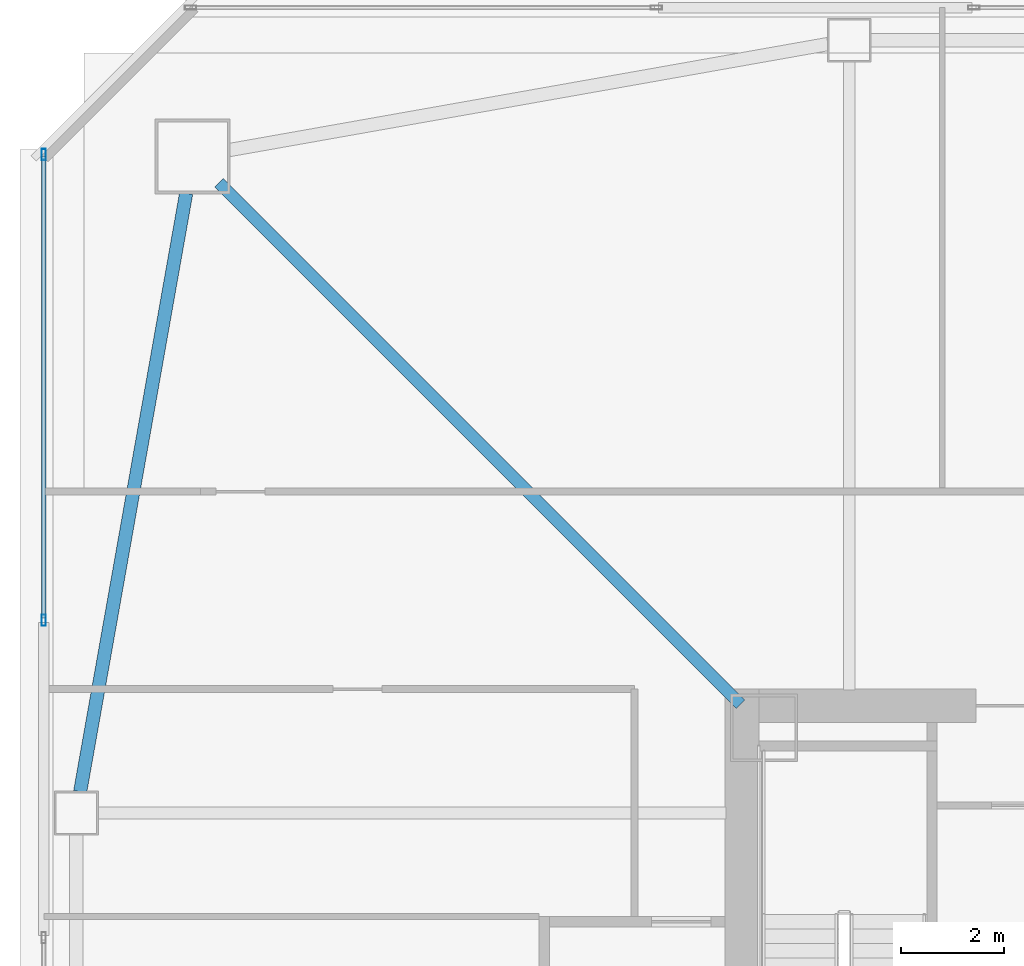
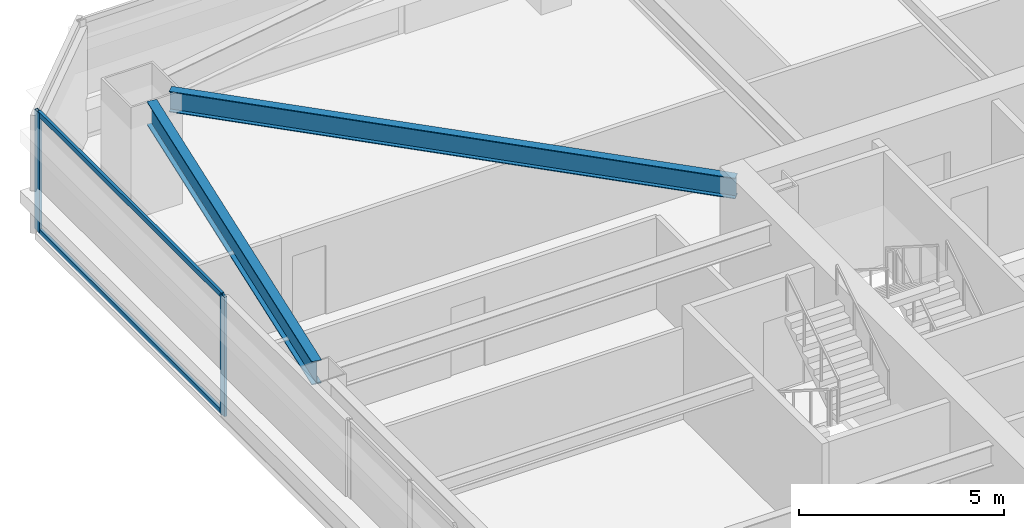
# One storey, part 11 of 44: 4 members, 2 beams, 1 element without a shape of its own.
"""IFC4 building model written with IfcOpenShell, lengths in metres."""

from ifc_helpers import new_model, si_unit, direction, frame, origin, origin_2d, place, context, subcontext, project, spatial, hollow_rectangle, i_section, extrude, material, material_profile, profile_set, type_object, element, aggregate, save


model = new_model("IFC4")

# Units and contexts
model_context = context("Model", 3, precision=1e-05, world=origin(), true_north=direction((0.0, 1.0)))
body_context = subcontext(model_context, "Body", "Model", "MODEL_VIEW")
ifc_project = project(units=[si_unit("LENGTHUNIT", "METRE"), si_unit("AREAUNIT", "SQUARE_METRE"), si_unit("VOLUMEUNIT", "CUBIC_METRE"), si_unit("PLANEANGLEUNIT", "RADIAN"), si_unit("MASSUNIT", "GRAM", prefix="KILO")], contexts=[model_context])

# Site, building, storey
site_placement = place(None, origin())
site = spatial("IfcSite", under=ifc_project, at=site_placement, CompositionType="ELEMENT")
building_placement = place(site_placement, origin())
building = spatial("IfcBuilding", under=site, at=building_placement, Name="Tashvorn Skyway Center", CompositionType="ELEMENT")
storey_placement = place(building_placement, frame((0.0, 0.0, 92.050048828125)))
storey = spatial("IfcBuildingStorey", under=building, at=storey_placement, Name="L24", CompositionType="ELEMENT", Elevation=92.050048828125)

# Beams
ifc_material_1 = material(Name="Steel ASTM A992 Grade 50", Category="steel")
ifc_material_profile_1 = material_profile(ifc_material_1, i_section(OverallWidth=0.22998046875, OverallDepth=0.616943359375, WebThickness=0.01318359375, FlangeThickness=0.022216796875, at=origin_2d()), Name="W24X94")
ifc_profile_set_1 = profile_set([ifc_material_profile_1], Name="Steel ASTM A992 Grade 50")
beam_type_1 = type_object("IfcBeamType", Name="BM-BEAM-W24X94", PredefinedType="BEAM", material=ifc_profile_set_1)
beam_1_placement = place(storey_placement, frame((24.4091796875, 49.5908203125, 3.04150390625), z_axis=(0.707106781187, -0.707106781187, 0.0), x_axis=(0.707106781187, 0.707106781187, 0.0)))
element("IfcBeam", 1, at=beam_1_placement, inside=storey, type_object=beam_type_1, Name="Tower 1 L24 Primary Floor Girder MC-NW", PredefinedType="BEAM", context=body_context, shape_type="SweptSolid", body=[
    extrude(i_section(OverallWidth=0.22998046875, OverallDepth=0.616943359375, WebThickness=0.01318359375, FlangeThickness=0.022216796875, at=origin_2d()), origin(), (0.0, 0.0, 1.0), 14.261962890625),
])
ifc_material_profile_2 = material_profile(ifc_material_1, i_section(OverallWidth=0.256103515625, OverallDepth=0.693115234375, WebThickness=0.014404296875, FlangeThickness=0.023681640625, at=origin_2d()), Name="W27X114")
ifc_profile_set_2 = profile_set([ifc_material_profile_2], Name="Steel ASTM A992 Grade 50")
beam_type_2 = type_object("IfcBeamType", Name="BM-SPANDREL-W27X114", PredefinedType="SPANDREL", material=ifc_profile_set_2)
beam_2_placement = place(storey_placement, frame((23.7744140625, 49.39111328125, 3.00341796875), z_axis=(-0.174437966698, -0.98466816531, 0.0), x_axis=(0.98466816531, -0.174437966698, 0.0)))
element("IfcBeam", 2, at=beam_2_placement, inside=storey, type_object=beam_type_2, Name="Tower 1 L24 Spandrel Beam 10", PredefinedType="SPANDREL", context=body_context, shape_type="SweptSolid", body=[
    extrude(i_section(OverallWidth=0.256103515625, OverallDepth=0.693115234375, WebThickness=0.014404296875, FlangeThickness=0.023681640625, at=origin_2d()), origin(), (0.0, 0.0, 1.0), 11.7578125),
])

# Curtain wall, members
ifc_material_2 = material(Name="Thermally broken bronze-anodized aluminium 6063-T6", Category="aluminium")
curtain_wall_type = type_object("IfcCurtainWallType", Name="CW-CW-Z2", PredefinedType="NOTDEFINED", material=ifc_material_2)
curtain_wall_placement = place(storey_placement, origin())
curtain_wall = element("IfcCurtainWall", 3, at=curtain_wall_placement, inside=storey, type_object=curtain_wall_type, Name="Tower 1 L24 West Unitised Curtain Wall Glazing Group 3", PredefinedType="NOTDEFINED")
ifc_material_profile_3 = material_profile(ifc_material_2, hollow_rectangle(XDim=0.080078125, YDim=0.219970703125, WallThickness=0.0048828125, at=origin_2d()), Name="ALU-MULL-80x220")
ifc_profile_set_3 = profile_set([ifc_material_profile_3], Name="Thermally broken bronze-anodized aluminium 6063-T6")
member_type_1 = type_object("IfcMemberType", Name="CWM-CW-Z2", PredefinedType="MULLION", material=ifc_profile_set_3)
member_1_placement = place(storey_placement, frame((21.02001953125, 41.1298828125, 0.0), z_axis=(0.0, 0.0, 1.0), x_axis=(-1.0, 0.0, 0.0)))
member_1 = element("IfcMember", 4, at=member_1_placement, type_object=member_type_1, Name="CW-Z2 mullion 1", PredefinedType="MULLION", context=body_context, shape_type="SweptSolid", body=[
    extrude(hollow_rectangle(XDim=0.080078125, YDim=0.219970703125, WallThickness=0.0048828125, at=origin_2d()), origin(), (0.0, 0.0, 1.0), 3.550048828125),
])
member_2_placement = place(storey_placement, frame((21.02001953125, 50.139892578125, 0.0), z_axis=(0.0, 0.0, 1.0), x_axis=(-1.0, 0.0, 0.0)))
member_2 = element("IfcMember", 5, at=member_2_placement, type_object=member_type_1, Name="CW-Z2 mullion 2", PredefinedType="MULLION", context=body_context, shape_type="SweptSolid", body=[
    extrude(hollow_rectangle(XDim=0.080078125, YDim=0.219970703125, WallThickness=0.0048828125, at=origin_2d()), origin(), (0.0, 0.0, 1.0), 3.550048828125),
])
ifc_material_profile_4 = material_profile(ifc_material_2, hollow_rectangle(XDim=0.080078125, YDim=0.14990234375, WallThickness=0.00439453125, at=origin_2d()), Name="ALU-TRAN-80x150")
ifc_profile_set_4 = profile_set([ifc_material_profile_4], Name="Thermally broken bronze-anodized aluminium 6063-T6")
member_type_2 = type_object("IfcMemberType", Name="CWT-CW-Z2", PredefinedType="USERDEFINED", material=ifc_profile_set_4)
member_3_placement = place(storey_placement, frame((21.02001953125, 41.169921875, 0.0400390625), z_axis=(0.0, 1.0, 0.0), x_axis=(-1.0, 0.0, 0.0)))
member_3 = element("IfcMember", 6, at=member_3_placement, type_object=member_type_2, Name="CW-Z2 transom 1.1", ObjectType="TRANSOM", PredefinedType="USERDEFINED", context=body_context, shape_type="SweptSolid", body=[
    extrude(hollow_rectangle(XDim=0.080078125, YDim=0.14990234375, WallThickness=0.00439453125, at=origin_2d()), origin(), (0.0, 0.0, 1.0), 8.93017578125),
])
member_4_placement = place(storey_placement, frame((21.02001953125, 41.169921875, 3.510009765625), z_axis=(0.0, 1.0, 0.0), x_axis=(-1.0, 0.0, 0.0)))
member_4 = element("IfcMember", 7, at=member_4_placement, type_object=member_type_2, Name="CW-Z2 transom 1.2", ObjectType="TRANSOM", PredefinedType="USERDEFINED", context=body_context, shape_type="SweptSolid", body=[
    extrude(hollow_rectangle(XDim=0.080078125, YDim=0.14990234375, WallThickness=0.00439453125, at=origin_2d()), origin(), (0.0, 0.0, 1.0), 8.93017578125),
])
aggregate(curtain_wall, [member_1, member_2, member_3, member_4])

save(model, "model.ifc")
